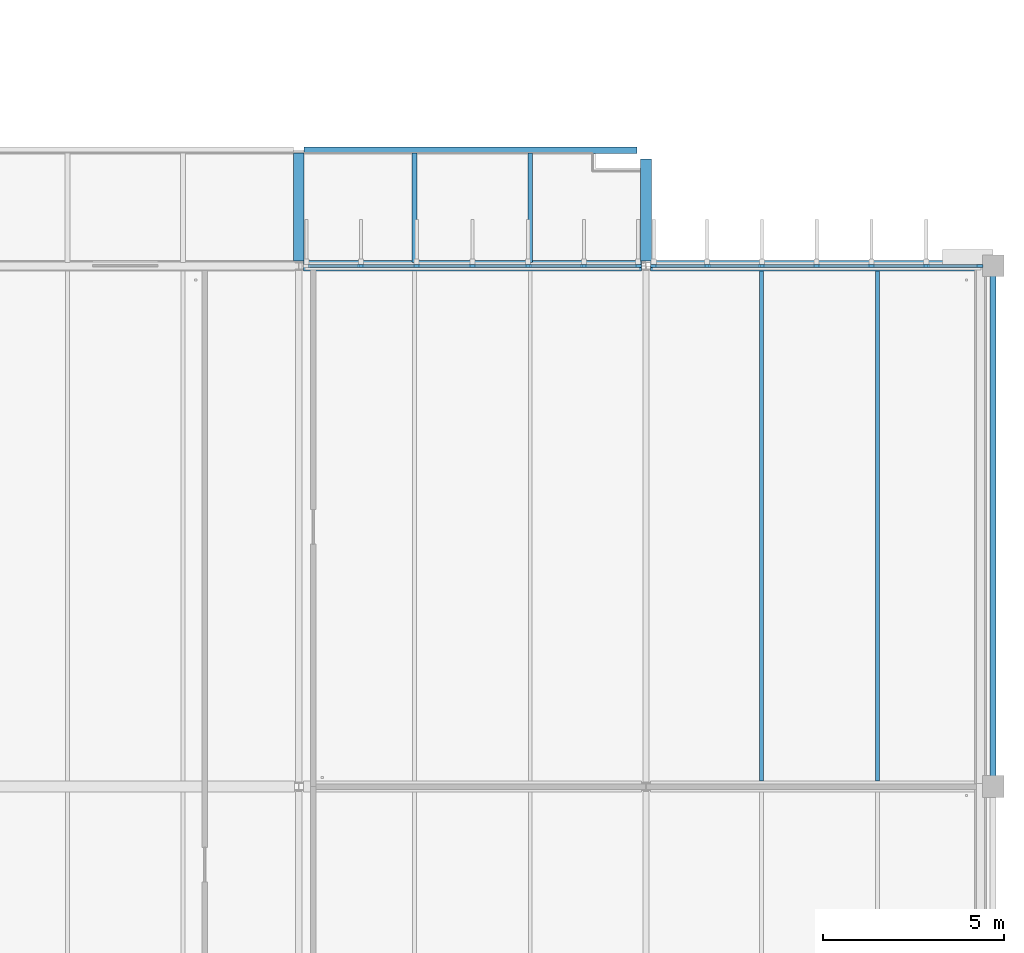
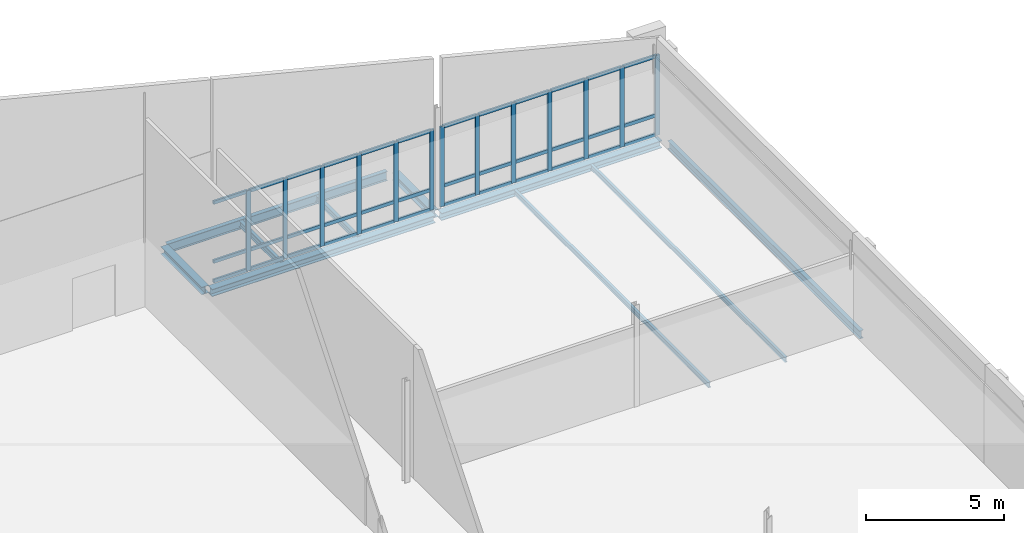
# One storey, part 48 of 110: 49 members, 10 beams, 2 elements without a shape of their own.
"""IFC4 building model written with IfcOpenShell, lengths in metres."""

from ifc_helpers import new_model, si_unit, direction, frame, origin, origin_2d, place, context, subcontext, project, spatial, rectangle, i_section, extrude, material, material_profile, profile_set, type_object, element, aggregate, save


model = new_model("IFC4")

# Units and contexts
model_context = context("Model", 3, precision=1e-05, world=origin(), true_north=direction((0.0, 1.0)))
body_context = subcontext(model_context, "Body", "Model", "MODEL_VIEW")
ifc_project = project(units=[si_unit("LENGTHUNIT", "METRE"), si_unit("AREAUNIT", "SQUARE_METRE"), si_unit("VOLUMEUNIT", "CUBIC_METRE"), si_unit("PLANEANGLEUNIT", "RADIAN"), si_unit("MASSUNIT", "GRAM", prefix="KILO")], contexts=[model_context])

# Site, building, storey
site_placement = place(None, origin())
site = spatial("IfcSite", under=ifc_project, at=site_placement, CompositionType="ELEMENT")
building_placement = place(site_placement, origin())
building = spatial("IfcBuilding", under=site, at=building_placement, Name="Dunescarp Central Library", CompositionType="ELEMENT")
storey_placement = place(building_placement, frame((0.0, 0.0, 9.60009765625)))
storey = spatial("IfcBuildingStorey", under=building, at=storey_placement, Name="L02", CompositionType="ELEMENT", Elevation=9.60009765625)

# Curtain wall, members
ifc_material_1 = material(Name="Marine-grade anodised aluminium 6063-T6", Category="aluminium")
curtain_wall_type = type_object("IfcCurtainWallType", Name="ARC-CW-STICK", PredefinedType="NOTDEFINED", material=ifc_material_1)
curtain_wall_1_placement = place(storey_placement, origin())
curtain_wall_1 = element("IfcCurtainWall", 1, at=curtain_wall_1_placement, inside=storey, type_object=curtain_wall_type, Name="L02 curtain wall CW-V5-167", PredefinedType="NOTDEFINED")
ifc_material_profile_1 = material_profile(ifc_material_1, rectangle(XDim=0.080078125, YDim=0.179931640625, at=origin_2d()), Name="AL 80x180")
ifc_profile_set_1 = profile_set([ifc_material_profile_1], Name="Marine-grade anodised aluminium 6063-T6")
member_type_1 = type_object("IfcMemberType", Name="ARC-CWM-180", PredefinedType="MULLION", material=ifc_profile_set_1)
member_1_placement = place(storey_placement, frame((150.5166015625, 44.800048828125, 0.0), z_axis=(0.0, 0.0, 1.0), x_axis=(0.0, 1.0, 0.0)))
member_1 = element("IfcMember", 2, at=member_1_placement, type_object=member_type_1, Name="CW-V5-167 mullion 2", PredefinedType="MULLION", context=body_context, shape_type="SweptSolid", body=[
    extrude(rectangle(XDim=0.080078125, YDim=0.179931640625, at=origin_2d()), origin(), (0.0, 0.0, 1.0), 3.5498046875),
])
member_2_placement = place(storey_placement, frame((152.058349609375, 44.800048828125, 0.0), z_axis=(0.0, 0.0, 1.0), x_axis=(0.0, 1.0, 0.0)))
member_2 = element("IfcMember", 3, at=member_2_placement, type_object=member_type_1, Name="CW-V5-167 mullion 3", PredefinedType="MULLION", context=body_context, shape_type="SweptSolid", body=[
    extrude(rectangle(XDim=0.080078125, YDim=0.179931640625, at=origin_2d()), origin(), (0.0, 0.0, 1.0), 3.5498046875),
])
member_3_placement = place(storey_placement, frame((153.60009765625, 44.800048828125, 0.0), z_axis=(0.0, 0.0, 1.0), x_axis=(0.0, 1.0, 0.0)))
member_3 = element("IfcMember", 4, at=member_3_placement, type_object=member_type_1, Name="CW-V5-167 mullion 4", PredefinedType="MULLION", context=body_context, shape_type="SweptSolid", body=[
    extrude(rectangle(XDim=0.080078125, YDim=0.179931640625, at=origin_2d()), origin(), (0.0, 0.0, 1.0), 3.5498046875),
])
member_4_placement = place(storey_placement, frame((155.1416015625, 44.800048828125, 0.0), z_axis=(0.0, 0.0, 1.0), x_axis=(0.0, 1.0, 0.0)))
member_4 = element("IfcMember", 5, at=member_4_placement, type_object=member_type_1, Name="CW-V5-167 mullion 5", PredefinedType="MULLION", context=body_context, shape_type="SweptSolid", body=[
    extrude(rectangle(XDim=0.080078125, YDim=0.179931640625, at=origin_2d()), origin(), (0.0, 0.0, 1.0), 3.5498046875),
])
member_5_placement = place(storey_placement, frame((156.683349609375, 44.800048828125, 0.0), z_axis=(0.0, 0.0, 1.0), x_axis=(0.0, 1.0, 0.0)))
member_5 = element("IfcMember", 6, at=member_5_placement, type_object=member_type_1, Name="CW-V5-167 mullion 6", PredefinedType="MULLION", context=body_context, shape_type="SweptSolid", body=[
    extrude(rectangle(XDim=0.080078125, YDim=0.179931640625, at=origin_2d()), origin(), (0.0, 0.0, 1.0), 3.5498046875),
])
member_6_placement = place(storey_placement, frame((158.18505859375, 44.800048828125, 0.0), z_axis=(0.0, 0.0, 1.0), x_axis=(0.0, 1.0, 0.0)))
member_6 = element("IfcMember", 7, at=member_6_placement, type_object=member_type_1, Name="CW-V5-167 mullion 7", PredefinedType="MULLION", context=body_context, shape_type="SweptSolid", body=[
    extrude(rectangle(XDim=0.080078125, YDim=0.179931640625, at=origin_2d()), origin(), (0.0, 0.0, 1.0), 3.5498046875),
])

curtain_wall_2_placement = place(storey_placement, origin())
curtain_wall_2 = element("IfcCurtainWall", 8, at=curtain_wall_2_placement, inside=storey, type_object=curtain_wall_type, Name="L02 curtain wall CW-V5-168", PredefinedType="NOTDEFINED")
member_7_placement = place(storey_placement, frame((158.614990234375, 44.800048828125, 0.0), z_axis=(0.0, 0.0, 1.0), x_axis=(0.0, 1.0, 0.0)))
member_7 = element("IfcMember", 9, at=member_7_placement, type_object=member_type_1, Name="CW-V5-168 mullion 1", PredefinedType="MULLION", context=body_context, shape_type="SweptSolid", body=[
    extrude(rectangle(XDim=0.080078125, YDim=0.179931640625, at=origin_2d()), origin(), (0.0, 0.0, 1.0), 3.5498046875),
])
member_8_placement = place(storey_placement, frame((160.090087890625, 44.800048828125, 0.0), z_axis=(0.0, 0.0, 1.0), x_axis=(0.0, 1.0, 0.0)))
member_8 = element("IfcMember", 10, at=member_8_placement, type_object=member_type_1, Name="CW-V5-168 mullion 2", PredefinedType="MULLION", context=body_context, shape_type="SweptSolid", body=[
    extrude(rectangle(XDim=0.080078125, YDim=0.179931640625, at=origin_2d()), origin(), (0.0, 0.0, 1.0), 3.5498046875),
])
member_9_placement = place(storey_placement, frame((161.60498046875, 44.800048828125, 0.0), z_axis=(0.0, 0.0, 1.0), x_axis=(0.0, 1.0, 0.0)))
member_9 = element("IfcMember", 11, at=member_9_placement, type_object=member_type_1, Name="CW-V5-168 mullion 3", PredefinedType="MULLION", context=body_context, shape_type="SweptSolid", body=[
    extrude(rectangle(XDim=0.080078125, YDim=0.179931640625, at=origin_2d()), origin(), (0.0, 0.0, 1.0), 3.5498046875),
])
member_10_placement = place(storey_placement, frame((163.1201171875, 44.800048828125, 0.0), z_axis=(0.0, 0.0, 1.0), x_axis=(0.0, 1.0, 0.0)))
member_10 = element("IfcMember", 12, at=member_10_placement, type_object=member_type_1, Name="CW-V5-168 mullion 4", PredefinedType="MULLION", context=body_context, shape_type="SweptSolid", body=[
    extrude(rectangle(XDim=0.080078125, YDim=0.179931640625, at=origin_2d()), origin(), (0.0, 0.0, 1.0), 3.5498046875),
])
member_11_placement = place(storey_placement, frame((164.635009765625, 44.800048828125, 0.0), z_axis=(0.0, 0.0, 1.0), x_axis=(0.0, 1.0, 0.0)))
member_11 = element("IfcMember", 13, at=member_11_placement, type_object=member_type_1, Name="CW-V5-168 mullion 5", PredefinedType="MULLION", context=body_context, shape_type="SweptSolid", body=[
    extrude(rectangle(XDim=0.080078125, YDim=0.179931640625, at=origin_2d()), origin(), (0.0, 0.0, 1.0), 3.5498046875),
])
member_12_placement = place(storey_placement, frame((166.14990234375, 44.800048828125, 0.0), z_axis=(0.0, 0.0, 1.0), x_axis=(0.0, 1.0, 0.0)))
member_12 = element("IfcMember", 14, at=member_12_placement, type_object=member_type_1, Name="CW-V5-168 mullion 6", PredefinedType="MULLION", context=body_context, shape_type="SweptSolid", body=[
    extrude(rectangle(XDim=0.080078125, YDim=0.179931640625, at=origin_2d()), origin(), (0.0, 0.0, 1.0), 3.5498046875),
])
member_13_placement = place(storey_placement, frame((167.625, 44.800048828125, 0.0), z_axis=(0.0, 0.0, 1.0), x_axis=(0.0, 1.0, 0.0)))
member_13 = element("IfcMember", 15, at=member_13_placement, type_object=member_type_1, Name="CW-V5-168 mullion 7", PredefinedType="MULLION", context=body_context, shape_type="SweptSolid", body=[
    extrude(rectangle(XDim=0.080078125, YDim=0.179931640625, at=origin_2d()), origin(), (0.0, 0.0, 1.0), 3.5498046875),
])

# Member
ifc_material_profile_2 = material_profile(ifc_material_1, rectangle(XDim=0.080078125, YDim=0.14990234375, at=origin_2d()), Name="AL 80x150")
ifc_profile_set_2 = profile_set([ifc_material_profile_2], Name="Marine-grade anodised aluminium 6063-T6")
member_type_2 = type_object("IfcMemberType", Name="ARC-CWT-150", PredefinedType="USERDEFINED", material=ifc_profile_set_2)
member_14_placement = place(storey_placement, frame((149.054931640625, 44.800048828125, 0.039794921875), z_axis=(1.0, 0.0, 0.0), x_axis=(0.0, 1.0, 0.0)))
member_14 = element("IfcMember", 16, at=member_14_placement, type_object=member_type_2, Name="CW-V5-167 transom 1.1", ObjectType="TRANSOM", PredefinedType="USERDEFINED", context=body_context, shape_type="SweptSolid", body=[
    extrude(rectangle(XDim=0.080078125, YDim=0.14990234375, at=origin_2d()), origin(), (0.0, 0.0, 1.0), 1.421630859375),
])

member_15_placement = place(storey_placement, frame((149.054931640625, 44.800048828125, 0.89990234375), z_axis=(1.0, 0.0, 0.0), x_axis=(0.0, 1.0, 0.0)))
member_15 = element("IfcMember", 17, at=member_15_placement, type_object=member_type_2, Name="CW-V5-167 transom 1.2", ObjectType="TRANSOM", PredefinedType="USERDEFINED", context=body_context, shape_type="SweptSolid", body=[
    extrude(rectangle(XDim=0.080078125, YDim=0.14990234375, at=origin_2d()), origin(), (0.0, 0.0, 1.0), 1.421630859375),
])

member_16_placement = place(storey_placement, frame((149.054931640625, 44.800048828125, 3.510009765625), z_axis=(1.0, 0.0, 0.0), x_axis=(0.0, 1.0, 0.0)))
member_16 = element("IfcMember", 18, at=member_16_placement, type_object=member_type_2, Name="CW-V5-167 transom 1.3", ObjectType="TRANSOM", PredefinedType="USERDEFINED", context=body_context, shape_type="SweptSolid", body=[
    extrude(rectangle(XDim=0.080078125, YDim=0.14990234375, at=origin_2d()), origin(), (0.0, 0.0, 1.0), 1.421630859375),
])

member_17_placement = place(storey_placement, frame((150.556640625, 44.800048828125, 0.039794921875), z_axis=(1.0, 0.0, 0.0), x_axis=(0.0, 1.0, 0.0)))
member_17 = element("IfcMember", 19, at=member_17_placement, type_object=member_type_2, Name="CW-V5-167 transom 2.1", ObjectType="TRANSOM", PredefinedType="USERDEFINED", context=body_context, shape_type="SweptSolid", body=[
    extrude(rectangle(XDim=0.080078125, YDim=0.14990234375, at=origin_2d()), origin(), (0.0, 0.0, 1.0), 1.461669921875),
])

member_18_placement = place(storey_placement, frame((150.556640625, 44.800048828125, 0.89990234375), z_axis=(1.0, 0.0, 0.0), x_axis=(0.0, 1.0, 0.0)))
member_18 = element("IfcMember", 20, at=member_18_placement, type_object=member_type_2, Name="CW-V5-167 transom 2.2", ObjectType="TRANSOM", PredefinedType="USERDEFINED", context=body_context, shape_type="SweptSolid", body=[
    extrude(rectangle(XDim=0.080078125, YDim=0.14990234375, at=origin_2d()), origin(), (0.0, 0.0, 1.0), 1.461669921875),
])

member_19_placement = place(storey_placement, frame((150.556640625, 44.800048828125, 3.510009765625), z_axis=(1.0, 0.0, 0.0), x_axis=(0.0, 1.0, 0.0)))
member_19 = element("IfcMember", 21, at=member_19_placement, type_object=member_type_2, Name="CW-V5-167 transom 2.3", ObjectType="TRANSOM", PredefinedType="USERDEFINED", context=body_context, shape_type="SweptSolid", body=[
    extrude(rectangle(XDim=0.080078125, YDim=0.14990234375, at=origin_2d()), origin(), (0.0, 0.0, 1.0), 1.461669921875),
])

member_20_placement = place(storey_placement, frame((152.098388671875, 44.800048828125, 0.039794921875), z_axis=(1.0, 0.0, 0.0), x_axis=(0.0, 1.0, 0.0)))
member_20 = element("IfcMember", 22, at=member_20_placement, type_object=member_type_2, Name="CW-V5-167 transom 3.1", ObjectType="TRANSOM", PredefinedType="USERDEFINED", context=body_context, shape_type="SweptSolid", body=[
    extrude(rectangle(XDim=0.080078125, YDim=0.14990234375, at=origin_2d()), origin(), (0.0, 0.0, 1.0), 1.461669921875),
])

member_21_placement = place(storey_placement, frame((152.098388671875, 44.800048828125, 0.89990234375), z_axis=(1.0, 0.0, 0.0), x_axis=(0.0, 1.0, 0.0)))
member_21 = element("IfcMember", 23, at=member_21_placement, type_object=member_type_2, Name="CW-V5-167 transom 3.2", ObjectType="TRANSOM", PredefinedType="USERDEFINED", context=body_context, shape_type="SweptSolid", body=[
    extrude(rectangle(XDim=0.080078125, YDim=0.14990234375, at=origin_2d()), origin(), (0.0, 0.0, 1.0), 1.461669921875),
])

member_22_placement = place(storey_placement, frame((152.098388671875, 44.800048828125, 3.510009765625), z_axis=(1.0, 0.0, 0.0), x_axis=(0.0, 1.0, 0.0)))
member_22 = element("IfcMember", 24, at=member_22_placement, type_object=member_type_2, Name="CW-V5-167 transom 3.3", ObjectType="TRANSOM", PredefinedType="USERDEFINED", context=body_context, shape_type="SweptSolid", body=[
    extrude(rectangle(XDim=0.080078125, YDim=0.14990234375, at=origin_2d()), origin(), (0.0, 0.0, 1.0), 1.461669921875),
])

member_23_placement = place(storey_placement, frame((153.639892578125, 44.800048828125, 0.039794921875), z_axis=(1.0, 0.0, 0.0), x_axis=(0.0, 1.0, 0.0)))
member_23 = element("IfcMember", 25, at=member_23_placement, type_object=member_type_2, Name="CW-V5-167 transom 4.1", ObjectType="TRANSOM", PredefinedType="USERDEFINED", context=body_context, shape_type="SweptSolid", body=[
    extrude(rectangle(XDim=0.080078125, YDim=0.14990234375, at=origin_2d()), origin(), (0.0, 0.0, 1.0), 1.461669921875),
])

member_24_placement = place(storey_placement, frame((153.639892578125, 44.800048828125, 0.89990234375), z_axis=(1.0, 0.0, 0.0), x_axis=(0.0, 1.0, 0.0)))
member_24 = element("IfcMember", 26, at=member_24_placement, type_object=member_type_2, Name="CW-V5-167 transom 4.2", ObjectType="TRANSOM", PredefinedType="USERDEFINED", context=body_context, shape_type="SweptSolid", body=[
    extrude(rectangle(XDim=0.080078125, YDim=0.14990234375, at=origin_2d()), origin(), (0.0, 0.0, 1.0), 1.461669921875),
])

member_25_placement = place(storey_placement, frame((153.639892578125, 44.800048828125, 3.510009765625), z_axis=(1.0, 0.0, 0.0), x_axis=(0.0, 1.0, 0.0)))
member_25 = element("IfcMember", 27, at=member_25_placement, type_object=member_type_2, Name="CW-V5-167 transom 4.3", ObjectType="TRANSOM", PredefinedType="USERDEFINED", context=body_context, shape_type="SweptSolid", body=[
    extrude(rectangle(XDim=0.080078125, YDim=0.14990234375, at=origin_2d()), origin(), (0.0, 0.0, 1.0), 1.461669921875),
])

member_26_placement = place(storey_placement, frame((155.181640625, 44.800048828125, 0.039794921875), z_axis=(1.0, 0.0, 0.0), x_axis=(0.0, 1.0, 0.0)))
member_26 = element("IfcMember", 28, at=member_26_placement, type_object=member_type_2, Name="CW-V5-167 transom 5.1", ObjectType="TRANSOM", PredefinedType="USERDEFINED", context=body_context, shape_type="SweptSolid", body=[
    extrude(rectangle(XDim=0.080078125, YDim=0.14990234375, at=origin_2d()), origin(), (0.0, 0.0, 1.0), 1.461669921875),
])

member_27_placement = place(storey_placement, frame((155.181640625, 44.800048828125, 0.89990234375), z_axis=(1.0, 0.0, 0.0), x_axis=(0.0, 1.0, 0.0)))
member_27 = element("IfcMember", 29, at=member_27_placement, type_object=member_type_2, Name="CW-V5-167 transom 5.2", ObjectType="TRANSOM", PredefinedType="USERDEFINED", context=body_context, shape_type="SweptSolid", body=[
    extrude(rectangle(XDim=0.080078125, YDim=0.14990234375, at=origin_2d()), origin(), (0.0, 0.0, 1.0), 1.461669921875),
])

member_28_placement = place(storey_placement, frame((155.181640625, 44.800048828125, 3.510009765625), z_axis=(1.0, 0.0, 0.0), x_axis=(0.0, 1.0, 0.0)))
member_28 = element("IfcMember", 30, at=member_28_placement, type_object=member_type_2, Name="CW-V5-167 transom 5.3", ObjectType="TRANSOM", PredefinedType="USERDEFINED", context=body_context, shape_type="SweptSolid", body=[
    extrude(rectangle(XDim=0.080078125, YDim=0.14990234375, at=origin_2d()), origin(), (0.0, 0.0, 1.0), 1.461669921875),
])

member_29_placement = place(storey_placement, frame((156.723388671875, 44.800048828125, 0.039794921875), z_axis=(1.0, 0.0, 0.0), x_axis=(0.0, 1.0, 0.0)))
member_29 = element("IfcMember", 31, at=member_29_placement, type_object=member_type_2, Name="CW-V5-167 transom 6.1", ObjectType="TRANSOM", PredefinedType="USERDEFINED", context=body_context, shape_type="SweptSolid", body=[
    extrude(rectangle(XDim=0.080078125, YDim=0.14990234375, at=origin_2d()), origin(), (0.0, 0.0, 1.0), 1.421630859375),
])

member_30_placement = place(storey_placement, frame((156.723388671875, 44.800048828125, 0.89990234375), z_axis=(1.0, 0.0, 0.0), x_axis=(0.0, 1.0, 0.0)))
member_30 = element("IfcMember", 32, at=member_30_placement, type_object=member_type_2, Name="CW-V5-167 transom 6.2", ObjectType="TRANSOM", PredefinedType="USERDEFINED", context=body_context, shape_type="SweptSolid", body=[
    extrude(rectangle(XDim=0.080078125, YDim=0.14990234375, at=origin_2d()), origin(), (0.0, 0.0, 1.0), 1.421630859375),
])

member_31_placement = place(storey_placement, frame((156.723388671875, 44.800048828125, 3.510009765625), z_axis=(1.0, 0.0, 0.0), x_axis=(0.0, 1.0, 0.0)))
member_31 = element("IfcMember", 33, at=member_31_placement, type_object=member_type_2, Name="CW-V5-167 transom 6.3", ObjectType="TRANSOM", PredefinedType="USERDEFINED", context=body_context, shape_type="SweptSolid", body=[
    extrude(rectangle(XDim=0.080078125, YDim=0.14990234375, at=origin_2d()), origin(), (0.0, 0.0, 1.0), 1.421630859375),
])

aggregate(curtain_wall_1, [member_1, member_2, member_3, member_4, member_5, member_6, member_14, member_15, member_16, member_17, member_18, member_19, member_20, member_21, member_22, member_23, member_24, member_25, member_26, member_27, member_28, member_29, member_30, member_31])

member_32_placement = place(storey_placement, frame((158.655029296875, 44.800048828125, 0.039794921875), z_axis=(1.0, 0.0, 0.0), x_axis=(0.0, 1.0, 0.0)))
member_32 = element("IfcMember", 34, at=member_32_placement, type_object=member_type_2, Name="CW-V5-168 transom 1.1", ObjectType="TRANSOM", PredefinedType="USERDEFINED", context=body_context, shape_type="SweptSolid", body=[
    extrude(rectangle(XDim=0.080078125, YDim=0.14990234375, at=origin_2d()), origin(), (0.0, 0.0, 1.0), 1.39501953125),
])

member_33_placement = place(storey_placement, frame((158.655029296875, 44.800048828125, 0.89990234375), z_axis=(1.0, 0.0, 0.0), x_axis=(0.0, 1.0, 0.0)))
member_33 = element("IfcMember", 35, at=member_33_placement, type_object=member_type_2, Name="CW-V5-168 transom 1.2", ObjectType="TRANSOM", PredefinedType="USERDEFINED", context=body_context, shape_type="SweptSolid", body=[
    extrude(rectangle(XDim=0.080078125, YDim=0.14990234375, at=origin_2d()), origin(), (0.0, 0.0, 1.0), 1.39501953125),
])

member_34_placement = place(storey_placement, frame((158.655029296875, 44.800048828125, 3.510009765625), z_axis=(1.0, 0.0, 0.0), x_axis=(0.0, 1.0, 0.0)))
member_34 = element("IfcMember", 36, at=member_34_placement, type_object=member_type_2, Name="CW-V5-168 transom 1.3", ObjectType="TRANSOM", PredefinedType="USERDEFINED", context=body_context, shape_type="SweptSolid", body=[
    extrude(rectangle(XDim=0.080078125, YDim=0.14990234375, at=origin_2d()), origin(), (0.0, 0.0, 1.0), 1.39501953125),
])

member_35_placement = place(storey_placement, frame((160.1298828125, 44.800048828125, 0.039794921875), z_axis=(1.0, 0.0, 0.0), x_axis=(0.0, 1.0, 0.0)))
member_35 = element("IfcMember", 37, at=member_35_placement, type_object=member_type_2, Name="CW-V5-168 transom 2.1", ObjectType="TRANSOM", PredefinedType="USERDEFINED", context=body_context, shape_type="SweptSolid", body=[
    extrude(rectangle(XDim=0.080078125, YDim=0.14990234375, at=origin_2d()), origin(), (0.0, 0.0, 1.0), 1.43505859375),
])

member_36_placement = place(storey_placement, frame((160.1298828125, 44.800048828125, 0.89990234375), z_axis=(1.0, 0.0, 0.0), x_axis=(0.0, 1.0, 0.0)))
member_36 = element("IfcMember", 38, at=member_36_placement, type_object=member_type_2, Name="CW-V5-168 transom 2.2", ObjectType="TRANSOM", PredefinedType="USERDEFINED", context=body_context, shape_type="SweptSolid", body=[
    extrude(rectangle(XDim=0.080078125, YDim=0.14990234375, at=origin_2d()), origin(), (0.0, 0.0, 1.0), 1.43505859375),
])

member_37_placement = place(storey_placement, frame((160.1298828125, 44.800048828125, 3.510009765625), z_axis=(1.0, 0.0, 0.0), x_axis=(0.0, 1.0, 0.0)))
member_37 = element("IfcMember", 39, at=member_37_placement, type_object=member_type_2, Name="CW-V5-168 transom 2.3", ObjectType="TRANSOM", PredefinedType="USERDEFINED", context=body_context, shape_type="SweptSolid", body=[
    extrude(rectangle(XDim=0.080078125, YDim=0.14990234375, at=origin_2d()), origin(), (0.0, 0.0, 1.0), 1.43505859375),
])

member_38_placement = place(storey_placement, frame((161.64501953125, 44.800048828125, 0.039794921875), z_axis=(1.0, 0.0, 0.0), x_axis=(0.0, 1.0, 0.0)))
member_38 = element("IfcMember", 40, at=member_38_placement, type_object=member_type_2, Name="CW-V5-168 transom 3.1", ObjectType="TRANSOM", PredefinedType="USERDEFINED", context=body_context, shape_type="SweptSolid", body=[
    extrude(rectangle(XDim=0.080078125, YDim=0.14990234375, at=origin_2d()), origin(), (0.0, 0.0, 1.0), 1.43505859375),
])

member_39_placement = place(storey_placement, frame((161.64501953125, 44.800048828125, 0.89990234375), z_axis=(1.0, 0.0, 0.0), x_axis=(0.0, 1.0, 0.0)))
member_39 = element("IfcMember", 41, at=member_39_placement, type_object=member_type_2, Name="CW-V5-168 transom 3.2", ObjectType="TRANSOM", PredefinedType="USERDEFINED", context=body_context, shape_type="SweptSolid", body=[
    extrude(rectangle(XDim=0.080078125, YDim=0.14990234375, at=origin_2d()), origin(), (0.0, 0.0, 1.0), 1.43505859375),
])

member_40_placement = place(storey_placement, frame((161.64501953125, 44.800048828125, 3.510009765625), z_axis=(1.0, 0.0, 0.0), x_axis=(0.0, 1.0, 0.0)))
member_40 = element("IfcMember", 42, at=member_40_placement, type_object=member_type_2, Name="CW-V5-168 transom 3.3", ObjectType="TRANSOM", PredefinedType="USERDEFINED", context=body_context, shape_type="SweptSolid", body=[
    extrude(rectangle(XDim=0.080078125, YDim=0.14990234375, at=origin_2d()), origin(), (0.0, 0.0, 1.0), 1.43505859375),
])

member_41_placement = place(storey_placement, frame((163.159912109375, 44.800048828125, 0.039794921875), z_axis=(1.0, 0.0, 0.0), x_axis=(0.0, 1.0, 0.0)))
member_41 = element("IfcMember", 43, at=member_41_placement, type_object=member_type_2, Name="CW-V5-168 transom 4.1", ObjectType="TRANSOM", PredefinedType="USERDEFINED", context=body_context, shape_type="SweptSolid", body=[
    extrude(rectangle(XDim=0.080078125, YDim=0.14990234375, at=origin_2d()), origin(), (0.0, 0.0, 1.0), 1.43505859375),
])

member_42_placement = place(storey_placement, frame((163.159912109375, 44.800048828125, 0.89990234375), z_axis=(1.0, 0.0, 0.0), x_axis=(0.0, 1.0, 0.0)))
member_42 = element("IfcMember", 44, at=member_42_placement, type_object=member_type_2, Name="CW-V5-168 transom 4.2", ObjectType="TRANSOM", PredefinedType="USERDEFINED", context=body_context, shape_type="SweptSolid", body=[
    extrude(rectangle(XDim=0.080078125, YDim=0.14990234375, at=origin_2d()), origin(), (0.0, 0.0, 1.0), 1.43505859375),
])

member_43_placement = place(storey_placement, frame((163.159912109375, 44.800048828125, 3.510009765625), z_axis=(1.0, 0.0, 0.0), x_axis=(0.0, 1.0, 0.0)))
member_43 = element("IfcMember", 45, at=member_43_placement, type_object=member_type_2, Name="CW-V5-168 transom 4.3", ObjectType="TRANSOM", PredefinedType="USERDEFINED", context=body_context, shape_type="SweptSolid", body=[
    extrude(rectangle(XDim=0.080078125, YDim=0.14990234375, at=origin_2d()), origin(), (0.0, 0.0, 1.0), 1.43505859375),
])

member_44_placement = place(storey_placement, frame((164.675048828125, 44.800048828125, 0.039794921875), z_axis=(1.0, 0.0, 0.0), x_axis=(0.0, 1.0, 0.0)))
member_44 = element("IfcMember", 46, at=member_44_placement, type_object=member_type_2, Name="CW-V5-168 transom 5.1", ObjectType="TRANSOM", PredefinedType="USERDEFINED", context=body_context, shape_type="SweptSolid", body=[
    extrude(rectangle(XDim=0.080078125, YDim=0.14990234375, at=origin_2d()), origin(), (0.0, 0.0, 1.0), 1.43505859375),
])

member_45_placement = place(storey_placement, frame((164.675048828125, 44.800048828125, 0.89990234375), z_axis=(1.0, 0.0, 0.0), x_axis=(0.0, 1.0, 0.0)))
member_45 = element("IfcMember", 47, at=member_45_placement, type_object=member_type_2, Name="CW-V5-168 transom 5.2", ObjectType="TRANSOM", PredefinedType="USERDEFINED", context=body_context, shape_type="SweptSolid", body=[
    extrude(rectangle(XDim=0.080078125, YDim=0.14990234375, at=origin_2d()), origin(), (0.0, 0.0, 1.0), 1.43505859375),
])

member_46_placement = place(storey_placement, frame((164.675048828125, 44.800048828125, 3.510009765625), z_axis=(1.0, 0.0, 0.0), x_axis=(0.0, 1.0, 0.0)))
member_46 = element("IfcMember", 48, at=member_46_placement, type_object=member_type_2, Name="CW-V5-168 transom 5.3", ObjectType="TRANSOM", PredefinedType="USERDEFINED", context=body_context, shape_type="SweptSolid", body=[
    extrude(rectangle(XDim=0.080078125, YDim=0.14990234375, at=origin_2d()), origin(), (0.0, 0.0, 1.0), 1.43505859375),
])

member_47_placement = place(storey_placement, frame((166.18994140625, 44.800048828125, 0.039794921875), z_axis=(1.0, 0.0, 0.0), x_axis=(0.0, 1.0, 0.0)))
member_47 = element("IfcMember", 49, at=member_47_placement, type_object=member_type_2, Name="CW-V5-168 transom 6.1", ObjectType="TRANSOM", PredefinedType="USERDEFINED", context=body_context, shape_type="SweptSolid", body=[
    extrude(rectangle(XDim=0.080078125, YDim=0.14990234375, at=origin_2d()), origin(), (0.0, 0.0, 1.0), 1.39501953125),
])

member_48_placement = place(storey_placement, frame((166.18994140625, 44.800048828125, 0.89990234375), z_axis=(1.0, 0.0, 0.0), x_axis=(0.0, 1.0, 0.0)))
member_48 = element("IfcMember", 50, at=member_48_placement, type_object=member_type_2, Name="CW-V5-168 transom 6.2", ObjectType="TRANSOM", PredefinedType="USERDEFINED", context=body_context, shape_type="SweptSolid", body=[
    extrude(rectangle(XDim=0.080078125, YDim=0.14990234375, at=origin_2d()), origin(), (0.0, 0.0, 1.0), 1.39501953125),
])

member_49_placement = place(storey_placement, frame((166.18994140625, 44.800048828125, 3.510009765625), z_axis=(1.0, 0.0, 0.0), x_axis=(0.0, 1.0, 0.0)))
member_49 = element("IfcMember", 51, at=member_49_placement, type_object=member_type_2, Name="CW-V5-168 transom 6.3", ObjectType="TRANSOM", PredefinedType="USERDEFINED", context=body_context, shape_type="SweptSolid", body=[
    extrude(rectangle(XDim=0.080078125, YDim=0.14990234375, at=origin_2d()), origin(), (0.0, 0.0, 1.0), 1.39501953125),
])

aggregate(curtain_wall_2, [member_7, member_8, member_9, member_10, member_11, member_12, member_13, member_32, member_33, member_34, member_35, member_36, member_37, member_38, member_39, member_40, member_41, member_42, member_43, member_44, member_45, member_46, member_47, member_48, member_49])

# Beams
ifc_material_2 = material(Name="Steel S355JR", Category="steel")
ifc_material_profile_3 = material_profile(ifc_material_2, i_section(OverallWidth=0.300048828125, OverallDepth=0.330078125, WebThickness=0.009521484375, FlangeThickness=0.0166015625, at=origin_2d()), Name="HEA 340")
ifc_profile_set_3 = profile_set([ifc_material_profile_3], Name="Steel S355JR")
beam_type_1 = type_object("IfcBeamType", Name="STR-BM-HEA340", PredefinedType="BEAM", material=ifc_profile_set_3)
beam_1_placement = place(storey_placement, frame((148.800048828125, 44.929931640625, -0.35498046875), z_axis=(0.0, 1.0, 0.0), x_axis=(-1.0, 0.0, 0.0)))
element("IfcBeam", 52, at=beam_1_placement, inside=storey, type_object=beam_type_1, Name="L02 girder BM-L02-1494", PredefinedType="BEAM", context=body_context, shape_type="SweptSolid", body=[
    extrude(i_section(OverallWidth=0.300048828125, OverallDepth=0.330078125, WebThickness=0.009521484375, FlangeThickness=0.0166015625, at=origin_2d()), origin(), (0.0, 0.0, 1.0), 2.984130859375),
])
beam_2_placement = place(storey_placement, frame((158.39990234375, 44.929931640625, -0.35498046875), z_axis=(0.0, 1.0, 0.0), x_axis=(-1.0, 0.0, 0.0)))
element("IfcBeam", 53, at=beam_2_placement, inside=storey, type_object=beam_type_1, Name="L02 girder BM-L02-1498", PredefinedType="BEAM", context=body_context, shape_type="SweptSolid", body=[
    extrude(i_section(OverallWidth=0.300048828125, OverallDepth=0.330078125, WebThickness=0.009521484375, FlangeThickness=0.0166015625, at=origin_2d()), origin(), (0.0, 0.0, 1.0), 2.822998046875),
])
ifc_material_profile_4 = material_profile(ifc_material_2, i_section(OverallWidth=0.300048828125, OverallDepth=0.320068359375, WebThickness=0.011474609375, FlangeThickness=0.0205078125, at=origin_2d()), Name="HEB 320")
ifc_profile_set_4 = profile_set([ifc_material_profile_4], Name="Steel S355JR")
beam_type_2 = type_object("IfcBeamType", Name="STR-BM-HEB320", PredefinedType="BEAM", material=ifc_profile_set_4)
beam_3_placement = place(storey_placement, frame((148.926025390625, 44.800048828125, -0.3701171875), z_axis=(1.0, 0.0, 0.0), x_axis=(0.0, 1.0, 0.0)))
element("IfcBeam", 54, at=beam_3_placement, inside=storey, type_object=beam_type_2, Name="L02 girder BM-L02-1194", PredefinedType="BEAM", context=body_context, shape_type="SweptSolid", body=[
    extrude(i_section(OverallWidth=0.300048828125, OverallDepth=0.320068359375, WebThickness=0.011474609375, FlangeThickness=0.0205078125, at=origin_2d()), origin(), (0.0, 0.0, 1.0), 9.347900390625),
])
beam_4_placement = place(storey_placement, frame((158.52587890625, 44.800048828125, -0.3701171875), z_axis=(1.0, 0.0, 0.0), x_axis=(0.0, 1.0, 0.0)))
element("IfcBeam", 55, at=beam_4_placement, inside=storey, type_object=beam_type_2, Name="L02 girder BM-L02-1211", PredefinedType="BEAM", context=body_context, shape_type="SweptSolid", body=[
    extrude(i_section(OverallWidth=0.300048828125, OverallDepth=0.320068359375, WebThickness=0.011474609375, FlangeThickness=0.0205078125, at=origin_2d()), origin(), (0.0, 0.0, 1.0), 9.22705078125),
])
ifc_material_profile_5 = material_profile(ifc_material_2, i_section(OverallWidth=0.17138671875, OverallDepth=0.35498046875, WebThickness=0.00732421875, FlangeThickness=0.011474609375, at=origin_2d()), Name="UB 356x171x51")
ifc_profile_set_5 = profile_set([ifc_material_profile_5], Name="Steel S355JR")
beam_type_3 = type_object("IfcBeamType", Name="STR-BM-UB356X51", PredefinedType="BEAM", material=ifc_profile_set_5)
beam_5_placement = place(storey_placement, frame((168.0, 30.64697265625, -0.38720703125), z_axis=(0.0, 1.0, 0.0), x_axis=(-1.0, 0.0, 0.0)))
element("IfcBeam", 56, at=beam_5_placement, inside=storey, type_object=beam_type_3, Name="L02 girder BM-L02-1212", PredefinedType="BEAM", context=body_context, shape_type="SweptSolid", body=[
    extrude(i_section(OverallWidth=0.17138671875, OverallDepth=0.35498046875, WebThickness=0.00732421875, FlangeThickness=0.011474609375, at=origin_2d()), origin(), (0.0, 0.0, 1.0), 13.906005859375),
])
ifc_material_profile_6 = material_profile(ifc_material_2, i_section(OverallWidth=0.110107421875, OverallDepth=0.219970703125, WebThickness=0.005859375, FlangeThickness=0.00927734375, at=origin_2d()), Name="IPE 220")
ifc_profile_set_6 = profile_set([ifc_material_profile_6], Name="Steel S355JR")
beam_type_4 = type_object("IfcBeamType", Name="STR-JS-IPE220", PredefinedType="JOIST", material=ifc_profile_set_6)
for number, where, z_axis, x_axis, name in (
    (57, (161.60009765625, 30.548095703125, -0.320068359375), (0.0, 1.0, 0.0), (-1.0, 0.0, 0.0), "L02 joist JS-L02-1213"),
    (58, (164.800048828125, 30.548095703125, -0.320068359375), (0.0, 1.0, 0.0), (-1.0, 0.0, 0.0), "L02 joist JS-L02-1214"),
):
    element("IfcBeam", number, at=place(storey_placement, frame(where, z_axis=z_axis, x_axis=x_axis)), inside=storey, type_object=beam_type_4, Name=name, PredefinedType="JOIST", context=body_context, shape_type="SweptSolid", body=[
        extrude(i_section(OverallWidth=0.110107421875, OverallDepth=0.219970703125, WebThickness=0.005859375, FlangeThickness=0.00927734375, at=origin_2d()), origin(), (0.0, 0.0, 1.0), 14.10400390625),
    ])
ifc_material_profile_7 = material_profile(ifc_material_2, i_section(OverallWidth=0.135009765625, OverallDepth=0.27001953125, WebThickness=0.006591796875, FlangeThickness=0.01025390625, at=origin_2d()), Name="IPE 270")
ifc_profile_set_7 = profile_set([ifc_material_profile_7], Name="Steel S355JR")
beam_type_5 = type_object("IfcBeamType", Name="STR-JS-IPE270", PredefinedType="JOIST", material=ifc_profile_set_7)
for number, where, z_axis, x_axis, name in (
    (59, (152.0, 44.886962890625, -0.3251953125), (0.0, 1.0, 0.0), (-1.0, 0.0, 0.0), "L02 joist JS-L02-1499"),
    (60, (155.199951171875, 44.886962890625, -0.3251953125), (0.0, 1.0, 0.0), (-1.0, 0.0, 0.0), "L02 joist JS-L02-1500"),
):
    element("IfcBeam", number, at=place(storey_placement, frame(where, z_axis=z_axis, x_axis=x_axis)), inside=storey, type_object=beam_type_5, Name=name, PredefinedType="JOIST", context=body_context, shape_type="SweptSolid", body=[
        extrude(i_section(OverallWidth=0.135009765625, OverallDepth=0.27001953125, WebThickness=0.006591796875, FlangeThickness=0.01025390625, at=origin_2d()), origin(), (0.0, 0.0, 1.0), 3.026123046875),
    ])
ifc_material_profile_8 = material_profile(ifc_material_2, i_section(OverallWidth=0.177978515625, OverallDepth=0.406494140625, WebThickness=0.0078125, FlangeThickness=0.0126953125, at=origin_2d()), Name="UB 406x178x60")
ifc_profile_set_8 = profile_set([ifc_material_profile_8], Name="Steel S355JR")
beam_type_6 = type_object("IfcBeamType", Name="STR-SP-UB406", PredefinedType="SPANDREL", material=ifc_profile_set_8)
beam_6_placement = place(storey_placement, frame((148.947021484375, 48.0, -0.39306640625), z_axis=(1.0, 0.0, 0.0), x_axis=(0.0, 1.0, 0.0)))
element("IfcBeam", 61, at=beam_6_placement, inside=storey, type_object=beam_type_6, Name="L02 girder BM-L02-1497", PredefinedType="SPANDREL", context=body_context, shape_type="SweptSolid", body=[
    extrude(i_section(OverallWidth=0.177978515625, OverallDepth=0.406494140625, WebThickness=0.0078125, FlangeThickness=0.0126953125, at=origin_2d()), origin(), (0.0, 0.0, 1.0), 9.2060546875),
])

save(model, "model.ifc")
